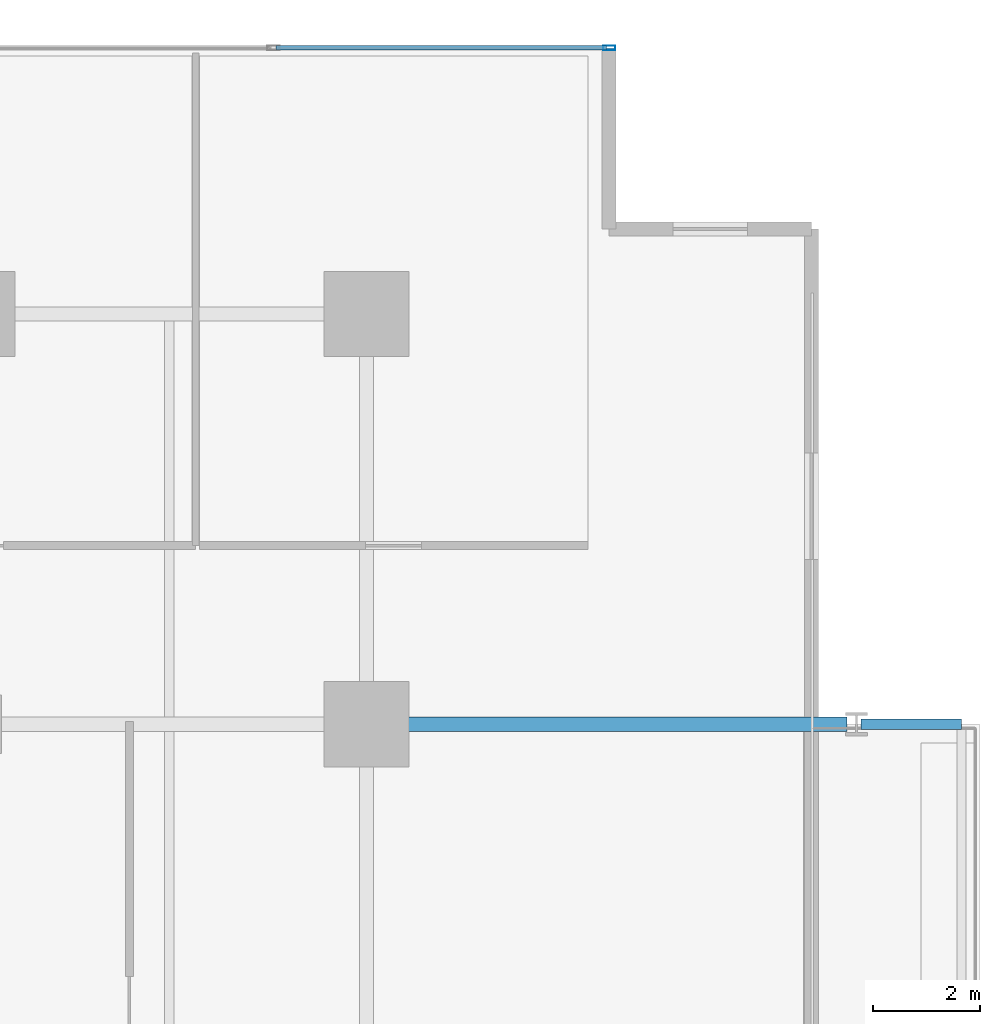
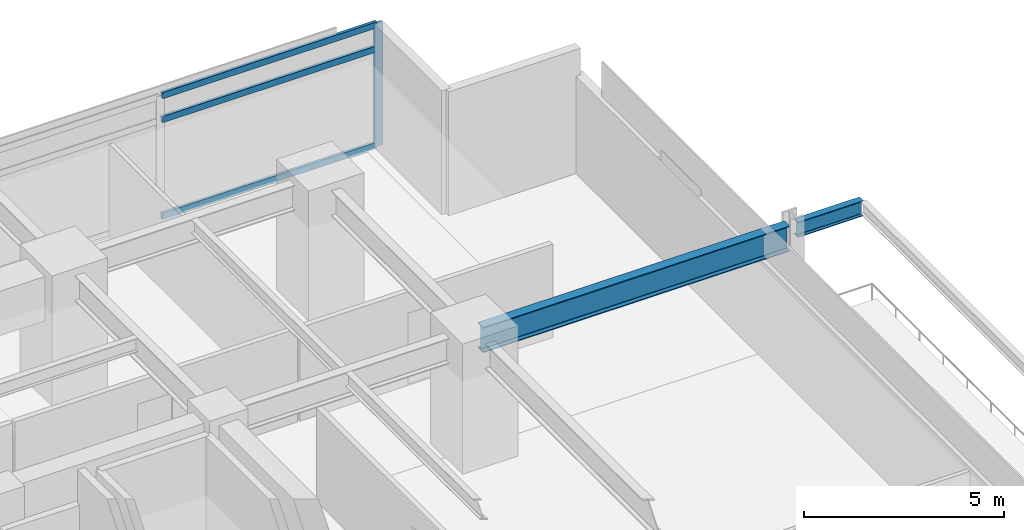
# One storey, part 11 of 21: 4 members, 2 beams, 1 element without a shape of its own.
"""IFC4 building model written with IfcOpenShell, lengths in metres."""

from ifc_helpers import new_model, si_unit, direction, frame, origin, origin_2d, place, context, subcontext, project, spatial, hollow_rectangle, i_section, extrude, material, material_profile, profile_set, type_object, element, aggregate, save


model = new_model("IFC4")

# Units and contexts
model_context = context("Model", 3, precision=1e-05, world=origin(), true_north=direction((0.0, 1.0)))
body_context = subcontext(model_context, "Body", "Model", "MODEL_VIEW")
ifc_project = project(units=[si_unit("LENGTHUNIT", "METRE"), si_unit("AREAUNIT", "SQUARE_METRE"), si_unit("VOLUMEUNIT", "CUBIC_METRE"), si_unit("PLANEANGLEUNIT", "RADIAN"), si_unit("MASSUNIT", "GRAM", prefix="KILO")], contexts=[model_context])

# Site, building, storey
site_placement = place(None, origin())
site = spatial("IfcSite", under=ifc_project, at=site_placement, CompositionType="ELEMENT")
building_placement = place(site_placement, origin())
building = spatial("IfcBuilding", under=site, at=building_placement, Name="Kovane Verandah Tower", CompositionType="ELEMENT")
storey_placement = place(building_placement, frame((0.0, 0.0, 176.39990234375)))
storey = spatial("IfcBuildingStorey", under=building, at=storey_placement, Name="L41", CompositionType="ELEMENT", Elevation=176.39990234375)

# Beam
ifc_material_1 = material(Name="Steel S355", Category="steel")
ifc_material_profile_1 = material_profile(ifc_material_1, i_section(OverallWidth=0.26806640625, OverallDepth=0.769775390625, WebThickness=0.015625, FlangeThickness=0.025390625, FilletRadius=0.0166015625, at=origin_2d()), Name="UB762x267x197")
ifc_profile_set_1 = profile_set([ifc_material_profile_1], Name="Steel S355")
beam_type_1 = type_object("IfcBeamType", Name="BM-UB762x197", PredefinedType="BEAM", material=ifc_profile_set_1)
beam_1_placement = place(storey_placement, frame((58.580078125, 36.5, 3.375244140625), z_axis=(1.0, 0.0, 0.0), x_axis=(0.0, 1.0, 0.0)))
element("IfcBeam", 1, at=beam_1_placement, inside=storey, type_object=beam_type_1, Name="L41 Primary Tower Girder G-VE2", PredefinedType="BEAM", context=body_context, shape_type="SweptSolid", body=[
    extrude(i_section(OverallWidth=0.26806640625, OverallDepth=0.769775390625, WebThickness=0.015625, FlangeThickness=0.025390625, FilletRadius=0.0166015625, at=origin_2d()), origin(), (0.0, 0.0, 1.0), 8.83984375),
])

# Curtain wall, members
ifc_material_2 = material(Name="Champagne Anodised Aluminium Frame with Low-E Clear Laminated Glass", Category="aluminium")
curtain_wall_type = type_object("IfcCurtainWallType", Name="CW-SYS-03-MID", PredefinedType="NOTDEFINED", material=ifc_material_2)
curtain_wall_placement = place(storey_placement, origin())
curtain_wall = element("IfcCurtainWall", 2, at=curtain_wall_placement, inside=storey, type_object=curtain_wall_type, Name="L41 N Unitised Curtain Wall", PredefinedType="NOTDEFINED")
ifc_material_3 = material(Name="Champagne Anodised Aluminium 6063-T6", Category="aluminium")
ifc_material_profile_2 = material_profile(ifc_material_3, hollow_rectangle(XDim=0.0849609375, YDim=0.22998046875, WallThickness=0.00390625, at=origin_2d()), Name="AL85x230x4")
ifc_profile_set_2 = profile_set([ifc_material_profile_2], Name="Champagne Anodised Aluminium 6063-T6")
member_type_1 = type_object("IfcMemberType", Name="CW-MUL-85x230", PredefinedType="MULLION", material=ifc_profile_set_2)
member_1_placement = place(storey_placement, frame((62.955810546875, 49.195068359375, 0.02001953125), z_axis=(0.0, 0.0, 1.0), x_axis=(0.0, 1.0, 0.0)))
member_1 = element("IfcMember", 3, at=member_1_placement, type_object=member_type_1, Name="L41 N Unitised Curtain Wall Mullion 1", PredefinedType="MULLION", context=body_context, shape_type="SweptSolid", body=[
    extrude(hollow_rectangle(XDim=0.0849609375, YDim=0.22998046875, WallThickness=0.00390625, at=origin_2d()), origin(), (0.0, 0.0, 1.0), 3.735107421875),
])
ifc_material_profile_3 = material_profile(ifc_material_3, hollow_rectangle(XDim=0.0849609375, YDim=0.18994140625, WallThickness=0.00390625, at=origin_2d()), Name="AL85x190x4")
ifc_profile_set_3 = profile_set([ifc_material_profile_3], Name="Champagne Anodised Aluminium 6063-T6")
member_type_2 = type_object("IfcMemberType", Name="CW-TRN-85x190", PredefinedType="USERDEFINED", material=ifc_profile_set_3)
member_2_placement = place(storey_placement, frame((62.90576171875, 49.195068359375, 0.050048828125), z_axis=(-1.0, 0.0, 0.0), x_axis=(0.0, -1.0, 0.0)))
member_2 = element("IfcMember", 4, at=member_2_placement, type_object=member_type_2, Name="L41 N Unitised Curtain Wall Transom TB Bay 1", ObjectType="TRANSOM", PredefinedType="USERDEFINED", context=body_context, shape_type="SweptSolid", body=[
    extrude(hollow_rectangle(XDim=0.0849609375, YDim=0.18994140625, WallThickness=0.00390625, at=origin_2d()), origin(), (0.0, 0.0, 1.0), 6.198974609375),
])
member_3_placement = place(storey_placement, frame((62.90576171875, 49.195068359375, 2.9951171875), z_axis=(-1.0, 0.0, 0.0), x_axis=(0.0, -1.0, 0.0)))
member_3 = element("IfcMember", 5, at=member_3_placement, type_object=member_type_2, Name="L41 N Unitised Curtain Wall Transom TM Bay 1", ObjectType="TRANSOM", PredefinedType="USERDEFINED", context=body_context, shape_type="SweptSolid", body=[
    extrude(hollow_rectangle(XDim=0.0849609375, YDim=0.18994140625, WallThickness=0.00390625, at=origin_2d()), origin(), (0.0, 0.0, 1.0), 6.198974609375),
])
member_4_placement = place(storey_placement, frame((62.90576171875, 49.195068359375, 3.72509765625), z_axis=(-1.0, 0.0, 0.0), x_axis=(0.0, -1.0, 0.0)))
member_4 = element("IfcMember", 6, at=member_4_placement, type_object=member_type_2, Name="L41 N Unitised Curtain Wall Transom TT Bay 1", ObjectType="TRANSOM", PredefinedType="USERDEFINED", context=body_context, shape_type="SweptSolid", body=[
    extrude(hollow_rectangle(XDim=0.0849609375, YDim=0.18994140625, WallThickness=0.00390625, at=origin_2d()), origin(), (0.0, 0.0, 1.0), 6.198974609375),
])
aggregate(curtain_wall, [member_1, member_2, member_3, member_4])

# Beam
ifc_material_profile_4 = material_profile(ifc_material_1, i_section(OverallWidth=0.19287109375, OverallDepth=0.46728515625, WebThickness=0.011474609375, FlangeThickness=0.01953125, FilletRadius=0.01025390625, at=origin_2d()), Name="UB457x191x98")
ifc_profile_set_4 = profile_set([ifc_material_profile_4], Name="Steel S355")
beam_type_2 = type_object("IfcBeamType", Name="JST-UB457x98", PredefinedType="JOIST", material=ifc_profile_set_4)
beam_2_placement = place(storey_placement, frame((67.679931640625, 36.5, 3.526611328125), z_axis=(1.0, 0.0, 0.0), x_axis=(0.0, 1.0, 0.0)))
element("IfcBeam", 7, at=beam_2_placement, inside=storey, type_object=beam_type_2, Name="L41 East Planter Girder 2", PredefinedType="JOIST", context=body_context, shape_type="SweptSolid", body=[
    extrude(i_section(OverallWidth=0.19287109375, OverallDepth=0.46728515625, WebThickness=0.011474609375, FlangeThickness=0.01953125, FilletRadius=0.01025390625, at=origin_2d()), origin(), (0.0, 0.0, 1.0), 1.89013671875),
])

save(model, "model.ifc")
